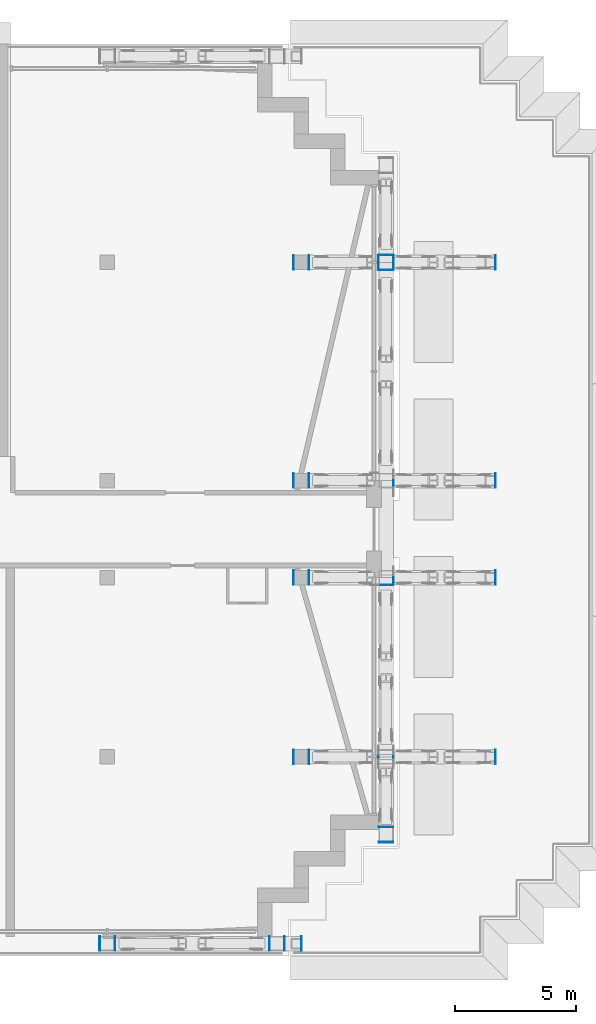
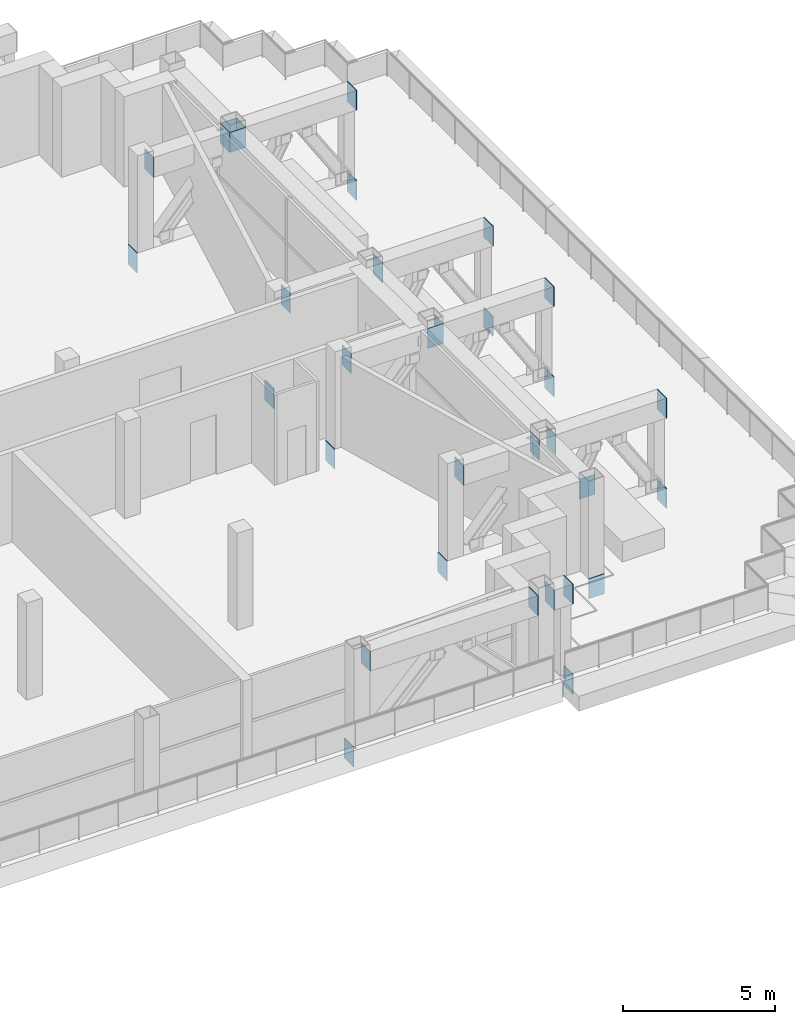
# One storey, part 11 of 21: 33 discrete accessories.
"""IFC4 building model written with IfcOpenShell, lengths in metres."""

from ifc_helpers import new_model, si_unit, direction, frame, origin, origin_2d, place, context, subcontext, project, spatial, rectangle, extrude, element, save


model = new_model("IFC4")

# Units and contexts
model_context = context("Model", 3, precision=1e-05, world=origin(), true_north=direction((0.0, 1.0)))
body_context = subcontext(model_context, "Body", "Model", "MODEL_VIEW")
ifc_project = project(units=[si_unit("LENGTHUNIT", "METRE"), si_unit("AREAUNIT", "SQUARE_METRE"), si_unit("VOLUMEUNIT", "CUBIC_METRE"), si_unit("PLANEANGLEUNIT", "RADIAN"), si_unit("MASSUNIT", "GRAM", prefix="KILO")], contexts=[model_context])

# Site, building, storey
site_placement = place(None, origin())
site = spatial("IfcSite", under=ifc_project, at=site_placement, CompositionType="ELEMENT")
building_placement = place(site_placement, origin())
building = spatial("IfcBuilding", under=site, at=building_placement, Name="Vidyagriha Tower", CompositionType="ELEMENT")
storey_placement = place(building_placement, frame((0.0, 0.0, 203.699951171875)))
storey = spatial("IfcBuildingStorey", under=building, at=storey_placement, Name="L52", CompositionType="ELEMENT", Elevation=203.699951171875)

# Discrete accessories
discrete_accessory_1_placement = place(storey_placement, frame((17.68505859375, -17.10009765625, -0.7998046875), z_axis=(0.0, 0.0, 1.0), x_axis=(-1.0, 0.0, 0.0)))
element("IfcDiscreteAccessory", 1, at=discrete_accessory_1_placement, inside=storey, Name="Chord end plate", ObjectType="END PLATE", PredefinedType="USERDEFINED", context=body_context, shape_type="SweptSolid", body=[
    extrude(rectangle(XDim=0.030029296875, YDim=0.60009765625, at=origin_2d()), origin(), (0.0, 0.0, 1.0), 0.800048828125),
])
for number, where, name in (
    (2, (26.014892578125, -17.10009765625, -0.7998046875), "Chord end plate"),
    (3, (26.014892578125, -17.10009765625, 2.81982421875), "Chord end plate"),
):
    element("IfcDiscreteAccessory", number, at=place(storey_placement, frame(where)), inside=storey, Name=name, ObjectType="END PLATE", PredefinedType="USERDEFINED", context=body_context, shape_type="SweptSolid", body=[
        extrude(rectangle(XDim=0.030029296875, YDim=0.60009765625, at=origin_2d()), origin(), (0.0, 0.0, 1.0), 0.800048828125),
    ])
discrete_accessory_2_placement = place(storey_placement, frame((25.68505859375, -9.39990234375, -0.7998046875), z_axis=(0.0, 0.0, 1.0), x_axis=(-1.0, 0.0, 0.0)))
element("IfcDiscreteAccessory", 4, at=discrete_accessory_2_placement, inside=storey, Name="Chord end plate", ObjectType="END PLATE", PredefinedType="USERDEFINED", context=body_context, shape_type="SweptSolid", body=[
    extrude(rectangle(XDim=0.030029296875, YDim=0.60009765625, at=origin_2d()), origin(), (0.0, 0.0, 1.0), 0.800048828125),
])
for number, where, name in (
    (5, (34.014892578125, -9.39990234375, -0.7998046875), "Chord end plate"),
    (6, (34.014892578125, -9.39990234375, 2.81982421875), "Chord end plate"),
):
    element("IfcDiscreteAccessory", number, at=place(storey_placement, frame(where)), inside=storey, Name=name, ObjectType="END PLATE", PredefinedType="USERDEFINED", context=body_context, shape_type="SweptSolid", body=[
        extrude(rectangle(XDim=0.030029296875, YDim=0.60009765625, at=origin_2d()), origin(), (0.0, 0.0, 1.0), 0.800048828125),
    ])
discrete_accessory_3_placement = place(storey_placement, frame((25.68505859375, -2.0, -0.7998046875), z_axis=(0.0, 0.0, 1.0), x_axis=(-1.0, 0.0, 0.0)))
element("IfcDiscreteAccessory", 7, at=discrete_accessory_3_placement, inside=storey, Name="Chord end plate", ObjectType="END PLATE", PredefinedType="USERDEFINED", context=body_context, shape_type="SweptSolid", body=[
    extrude(rectangle(XDim=0.030029296875, YDim=0.60009765625, at=origin_2d()), origin(), (0.0, 0.0, 1.0), 0.800048828125),
])
for number, where, name in (
    (8, (34.014892578125, -2.0, -0.7998046875), "Chord end plate"),
    (9, (34.014892578125, -2.0, 2.81982421875), "Chord end plate"),
):
    element("IfcDiscreteAccessory", number, at=place(storey_placement, frame(where)), inside=storey, Name=name, ObjectType="END PLATE", PredefinedType="USERDEFINED", context=body_context, shape_type="SweptSolid", body=[
        extrude(rectangle(XDim=0.030029296875, YDim=0.60009765625, at=origin_2d()), origin(), (0.0, 0.0, 1.0), 0.800048828125),
    ])
discrete_accessory_4_placement = place(storey_placement, frame((25.68505859375, 2.0, -0.7998046875), z_axis=(0.0, 0.0, 1.0), x_axis=(-1.0, 0.0, 0.0)))
element("IfcDiscreteAccessory", 10, at=discrete_accessory_4_placement, inside=storey, Name="Chord end plate", ObjectType="END PLATE", PredefinedType="USERDEFINED", context=body_context, shape_type="SweptSolid", body=[
    extrude(rectangle(XDim=0.030029296875, YDim=0.60009765625, at=origin_2d()), origin(), (0.0, 0.0, 1.0), 0.800048828125),
])
for number, where, name in (
    (11, (34.014892578125, 2.0, -0.7998046875), "Chord end plate"),
    (12, (34.014892578125, 2.0, 2.81982421875), "Chord end plate"),
):
    element("IfcDiscreteAccessory", number, at=place(storey_placement, frame(where)), inside=storey, Name=name, ObjectType="END PLATE", PredefinedType="USERDEFINED", context=body_context, shape_type="SweptSolid", body=[
        extrude(rectangle(XDim=0.030029296875, YDim=0.60009765625, at=origin_2d()), origin(), (0.0, 0.0, 1.0), 0.800048828125),
    ])
discrete_accessory_5_placement = place(storey_placement, frame((25.68505859375, 11.0, -0.7998046875), z_axis=(0.0, 0.0, 1.0), x_axis=(-1.0, 0.0, 0.0)))
element("IfcDiscreteAccessory", 13, at=discrete_accessory_5_placement, inside=storey, Name="Chord end plate", ObjectType="END PLATE", PredefinedType="USERDEFINED", context=body_context, shape_type="SweptSolid", body=[
    extrude(rectangle(XDim=0.030029296875, YDim=0.60009765625, at=origin_2d()), origin(), (0.0, 0.0, 1.0), 0.800048828125),
])
for number, where, name in (
    (14, (34.014892578125, 11.0, -0.7998046875), "Chord end plate"),
    (15, (34.014892578125, 11.0, 2.81982421875), "Chord end plate"),
):
    element("IfcDiscreteAccessory", number, at=place(storey_placement, frame(where)), inside=storey, Name=name, ObjectType="END PLATE", PredefinedType="USERDEFINED", context=body_context, shape_type="SweptSolid", body=[
        extrude(rectangle(XDim=0.030029296875, YDim=0.60009765625, at=origin_2d()), origin(), (0.0, 0.0, 1.0), 0.800048828125),
    ])
discrete_accessory_6_placement = place(storey_placement, frame((29.5, -12.9150390625, -0.7998046875), z_axis=(0.0, 0.0, 1.0), x_axis=(0.0, -1.0, 0.0)))
element("IfcDiscreteAccessory", 16, at=discrete_accessory_6_placement, inside=storey, Name="Chord end plate", ObjectType="END PLATE", PredefinedType="USERDEFINED", context=body_context, shape_type="SweptSolid", body=[
    extrude(rectangle(XDim=0.030029296875, YDim=0.60009765625, at=origin_2d()), origin(), (0.0, 0.0, 1.0), 0.800048828125),
])
discrete_accessory_7_placement = place(storey_placement, frame((18.309814453125, -17.10009765625, 2.81982421875), z_axis=(0.0, 0.0, 1.0), x_axis=(-1.0, 0.0, 0.0)))
element("IfcDiscreteAccessory", 17, at=discrete_accessory_7_placement, inside=storey, Name="End plate ASTM A572 Grade 50 20mm", ObjectType="END PLATE", PredefinedType="USERDEFINED", context=body_context, shape_type="SweptSolid", body=[
    extrude(rectangle(XDim=0.02001953125, YDim=0.60009765625, at=origin_2d()), origin(), (0.0, 0.0, 1.0), 0.800048828125),
])
discrete_accessory_8_placement = place(storey_placement, frame((24.690185546875, -17.10009765625, 2.81982421875)))
element("IfcDiscreteAccessory", 18, at=discrete_accessory_8_placement, inside=storey, Name="End plate ASTM A572 Grade 50 20mm", ObjectType="END PLATE", PredefinedType="USERDEFINED", context=body_context, shape_type="SweptSolid", body=[
    extrude(rectangle(XDim=0.02001953125, YDim=0.60009765625, at=origin_2d()), origin(), (0.0, 0.0, 1.0), 0.800048828125),
])
for number, where, z_axis, x_axis, name in (
    (19, (25.309814453125, -17.10009765625, 2.81982421875), (0.0, 0.0, 1.0), (-1.0, 0.0, 0.0), "End plate ASTM A572 Grade 50 20mm"),
    (20, (26.309814453125, -9.39990234375, 2.81982421875), (0.0, 0.0, 1.0), (-1.0, 0.0, 0.0), "End plate ASTM A572 Grade 50 20mm"),
):
    element("IfcDiscreteAccessory", number, at=place(storey_placement, frame(where, z_axis=z_axis, x_axis=x_axis)), inside=storey, Name=name, ObjectType="END PLATE", PredefinedType="USERDEFINED", context=body_context, shape_type="SweptSolid", body=[
        extrude(rectangle(XDim=0.02001953125, YDim=0.60009765625, at=origin_2d()), origin(), (0.0, 0.0, 1.0), 0.800048828125),
    ])
discrete_accessory_9_placement = place(storey_placement, frame((29.190185546875, -9.39990234375, 2.81982421875)))
element("IfcDiscreteAccessory", 21, at=discrete_accessory_9_placement, inside=storey, Name="End plate ASTM A572 Grade 50 20mm", ObjectType="END PLATE", PredefinedType="USERDEFINED", context=body_context, shape_type="SweptSolid", body=[
    extrude(rectangle(XDim=0.02001953125, YDim=0.60009765625, at=origin_2d()), origin(), (0.0, 0.0, 1.0), 0.800048828125),
])
for number, where, z_axis, x_axis, name in (
    (22, (29.809814453125, -9.39990234375, 2.81982421875), (0.0, 0.0, 1.0), (-1.0, 0.0, 0.0), "End plate ASTM A572 Grade 50 20mm"),
    (23, (26.309814453125, -2.0, 2.81982421875), (0.0, 0.0, 1.0), (-1.0, 0.0, 0.0), "End plate ASTM A572 Grade 50 20mm"),
    (24, (29.809814453125, -2.0, 2.81982421875), (0.0, 0.0, 1.0), (-1.0, 0.0, 0.0), "End plate ASTM A572 Grade 50 20mm"),
    (25, (26.309814453125, 2.0, 2.81982421875), (0.0, 0.0, 1.0), (-1.0, 0.0, 0.0), "End plate ASTM A572 Grade 50 20mm"),
    (26, (29.809814453125, 2.0, 2.81982421875), (0.0, 0.0, 1.0), (-1.0, 0.0, 0.0), "End plate ASTM A572 Grade 50 20mm"),
    (27, (26.309814453125, 11.0, 2.81982421875), (0.0, 0.0, 1.0), (-1.0, 0.0, 0.0), "End plate ASTM A572 Grade 50 20mm"),
):
    element("IfcDiscreteAccessory", number, at=place(storey_placement, frame(where, z_axis=z_axis, x_axis=x_axis)), inside=storey, Name=name, ObjectType="END PLATE", PredefinedType="USERDEFINED", context=body_context, shape_type="SweptSolid", body=[
        extrude(rectangle(XDim=0.02001953125, YDim=0.60009765625, at=origin_2d()), origin(), (0.0, 0.0, 1.0), 0.800048828125),
    ])
discrete_accessory_10_placement = place(storey_placement, frame((29.190185546875, 11.0, 2.81982421875)))
element("IfcDiscreteAccessory", 28, at=discrete_accessory_10_placement, inside=storey, Name="End plate ASTM A572 Grade 50 20mm", ObjectType="END PLATE", PredefinedType="USERDEFINED", context=body_context, shape_type="SweptSolid", body=[
    extrude(rectangle(XDim=0.02001953125, YDim=0.60009765625, at=origin_2d()), origin(), (0.0, 0.0, 1.0), 0.800048828125),
])
for number, where, z_axis, x_axis, name in (
    (29, (29.809814453125, 11.0, 2.81982421875), (0.0, 0.0, 1.0), (-1.0, 0.0, 0.0), "End plate ASTM A572 Grade 50 20mm"),
    (30, (29.5, -12.290283203125, 2.81982421875), (0.0, 0.0, 1.0), (0.0, -1.0, 0.0), "End plate ASTM A572 Grade 50 20mm"),
    (31, (29.5, -2.3095703125, 2.81982421875), (0.0, 0.0, 1.0), (0.0, 1.0, 0.0), "End plate ASTM A572 Grade 50 20mm"),
    (32, (29.5, 10.6904296875, 2.81982421875), (0.0, 0.0, 1.0), (0.0, 1.0, 0.0), "End plate ASTM A572 Grade 50 20mm"),
    (33, (29.5, 11.309814453125, 2.81982421875), (0.0, 0.0, 1.0), (0.0, -1.0, 0.0), "End plate ASTM A572 Grade 50 20mm"),
):
    element("IfcDiscreteAccessory", number, at=place(storey_placement, frame(where, z_axis=z_axis, x_axis=x_axis)), inside=storey, Name=name, ObjectType="END PLATE", PredefinedType="USERDEFINED", context=body_context, shape_type="SweptSolid", body=[
        extrude(rectangle(XDim=0.02001953125, YDim=0.60009765625, at=origin_2d()), origin(), (0.0, 0.0, 1.0), 0.800048828125),
    ])

save(model, "model.ifc")
